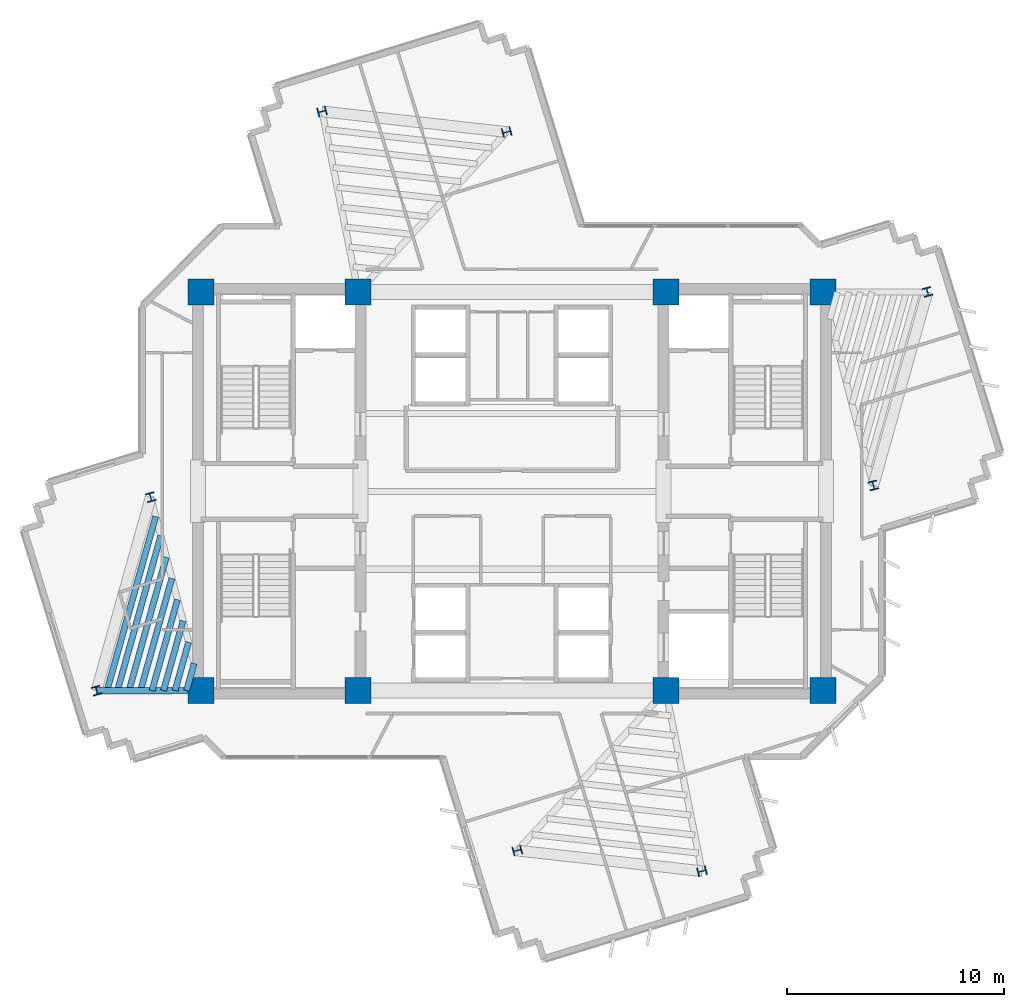
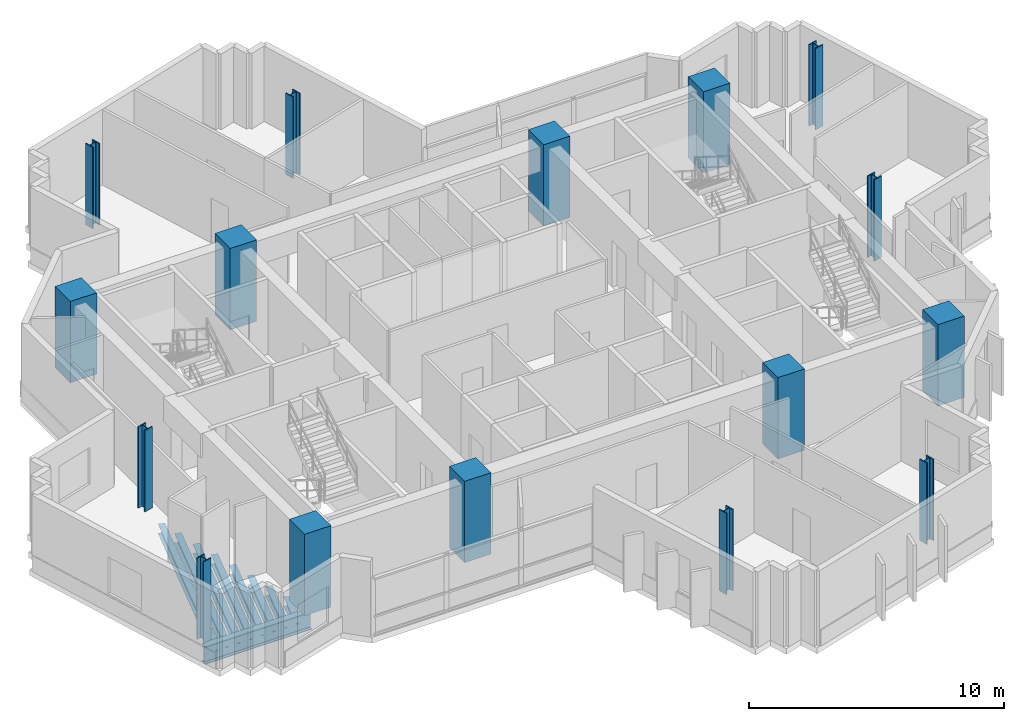
# One storey, part 1 of 13: 16 columns, 9 beams.
"""IFC4 building model written with IfcOpenShell, lengths in metres."""

import ifcopenshell
import ifcopenshell.guid

model = None  # the IFC model being written
_history = None  # IfcOwnerHistory: only IFC2X3 demands one
_inside = {}  # id of a spatial element -> (the spatial element, [elements in it])
_under = {}  # id of a project, library or spatial element -> (it, [spatial elements below it])
_declared = {}  # id of a project -> (the project, [libraries it declares])
_typed = {}  # id of a type object -> (the type object, [elements of that type])
_made_of = {}  # id of a material, layer set ... -> (it, [elements and type objects made of it])


def new_model(schema):
    """Start an empty IFC model of exactly this schema.

    Asked for "IFC4X3", IfcOpenShell would pick the latest addendum, in which some entities
    have other attributes; the version numbers below select the first issue.
    IFC2X3 requires an IfcOwnerHistory on every rooted entity: one is made here for all.
    """
    global model, _history
    if schema == "IFC4X3":
        model = ifcopenshell.file(schema_version=(4, 3, 0, 0))
    else:
        model = ifcopenshell.file(schema=schema)
    _inside.clear()
    _under.clear()
    _declared.clear()
    _typed.clear()
    _made_of.clear()
    _history = None
    if model.schema == "IFC2X3":
        org = make("IfcOrganization", Name="unknown")
        user = make(
            "IfcPersonAndOrganization",
            ThePerson=make("IfcPerson", FamilyName="unknown"),
            TheOrganization=org,
        )
        app = make(
            "IfcApplication",
            ApplicationDeveloper=org,
            Version="unknown",
            ApplicationFullName="unknown",
            ApplicationIdentifier="unknown",
        )
        _history = make(
            "IfcOwnerHistory",
            OwningUser=user,
            OwningApplication=app,
            ChangeAction="ADDED",
            CreationDate=0,
        )
    return model


def make(cls, **values):
    """One entity of the class cls with the attributes given. An attribute that is None is left unset."""
    return model.create_entity(
        cls, **{name: value for name, value in values.items() if value is not None}
    )


def rooted(cls, **values):
    """An entity with a GlobalId (a new one), such as an element, a storey or a relation."""
    return make(cls, GlobalId=ifcopenshell.guid.new(), OwnerHistory=_history, **values)


def si_unit(unit_type, name, prefix=None):
    """IfcSIUnit, for example si_unit("LENGTHUNIT", "METRE", prefix="MILLI")."""
    return make("IfcSIUnit", UnitType=unit_type, Prefix=prefix, Name=name)


def assignment(units):
    """IfcUnitAssignment: the units of a project."""
    return None if units is None else make("IfcUnitAssignment", Units=units)


def point(xyz):
    """IfcCartesianPoint."""
    return None if xyz is None else make("IfcCartesianPoint", Coordinates=xyz)


def direction(xyz):
    """IfcDirection."""
    return None if xyz is None else make("IfcDirection", DirectionRatios=xyz)


def frame(location, z_axis=None, x_axis=None):
    """IfcAxis2Placement3D, a coordinate frame: its origin and axes. An axis left out is left unset."""
    return make(
        "IfcAxis2Placement3D",
        Location=point(location),
        Axis=direction(z_axis),
        RefDirection=direction(x_axis),
    )


def frame_2d(location, x_axis=None):
    """IfcAxis2Placement2D, a coordinate frame in the plane: its origin and x axis."""
    return make(
        "IfcAxis2Placement2D", Location=point(location), RefDirection=direction(x_axis)
    )


def origin():
    """The frame at (0, 0, 0) with its axes left unset."""
    return frame((0.0, 0.0, 0.0))


def origin_2d():
    """The frame at (0, 0) in the plane with its x axis left unset."""
    return frame_2d((0.0, 0.0))


def place(relative_to, where):
    """IfcLocalPlacement: puts the frame where relative to a parent placement (None: the world)."""
    return make(
        "IfcLocalPlacement", PlacementRelTo=relative_to, RelativePlacement=where
    )


def context(
    kind, dimensions, precision=None, world=None, true_north=None, identifier=None
):
    """IfcGeometricRepresentationContext, for example the 3D "Model" context."""
    return make(
        "IfcGeometricRepresentationContext",
        ContextIdentifier=identifier,
        ContextType=kind,
        CoordinateSpaceDimension=dimensions,
        Precision=precision,
        WorldCoordinateSystem=world,
        TrueNorth=true_north,
    )


def subcontext(parent, identifier, kind, view, scale=None):
    """IfcGeometricRepresentationSubContext, for example "Body" below "Model"."""
    return make(
        "IfcGeometricRepresentationSubContext",
        ContextIdentifier=identifier,
        ContextType=kind,
        ParentContext=parent,
        TargetScale=scale,
        TargetView=view,
    )


def project(units=None, contexts=None):
    """IfcProject with its units and contexts."""
    return rooted(
        "IfcProject",
        Name="project",
        RepresentationContexts=contexts,
        UnitsInContext=assignment(units),
    )


def spatial(cls, under=None, at=None, **own):
    """A site, building, storey or space (cls), placed at a placement, below another one or the project."""
    s = rooted(cls, ObjectPlacement=at, **own)
    if under is not None:
        _under.setdefault(under.id(), (under, []))[1].append(s)
    return s


def profile(cls, at=None, kind="AREA", **sizes):
    """A parametric profile (cls). Its sizes go by their IFC names, for example OverallWidth=200.0."""
    return make(cls, ProfileType=kind, Position=at, **sizes)


def rectangle(**sizes):
    """IfcRectangleProfileDef."""
    return profile("IfcRectangleProfileDef", **sizes)


def i_section(**sizes):
    """IfcIShapeProfileDef."""
    return profile("IfcIShapeProfileDef", **sizes)


def extrude(swept, where, along, depth):
    """IfcExtrudedAreaSolid: the profile swept, set in the frame where, extruded along a direction by depth."""
    return make(
        "IfcExtrudedAreaSolid",
        SweptArea=swept,
        Position=where,
        ExtrudedDirection=direction(along),
        Depth=depth,
    )


def shape(context_of_items, identifier, shape_type, items):
    """IfcShapeRepresentation: the items that make up one representation, for example the "Body"."""
    return make(
        "IfcShapeRepresentation",
        ContextOfItems=context_of_items,
        RepresentationIdentifier=identifier,
        RepresentationType=shape_type,
        Items=items,
    )


def source(mapping_origin, context_of_items, identifier, shape_type, items):
    """IfcRepresentationMap: a shape defined once, which mapped items show again and again."""
    return make(
        "IfcRepresentationMap",
        MappingOrigin=mapping_origin,
        MappedRepresentation=shape(context_of_items, identifier, shape_type, items),
    )


def transform(
    local_origin,
    x_axis=None,
    y_axis=None,
    z_axis=None,
    scale=None,
    scale2=None,
    scale3=None,
    uniform=True,
):
    """IfcCartesianTransformationOperator3D, or its non-uniform kind. x_axis, y_axis, z_axis: its Axis1, 2, 3."""
    if uniform:
        return make(
            "IfcCartesianTransformationOperator3D",
            Axis1=direction(x_axis),
            Axis2=direction(y_axis),
            LocalOrigin=point(local_origin),
            Scale=scale,
            Axis3=direction(z_axis),
        )
    return make(
        "IfcCartesianTransformationOperator3DnonUniform",
        Axis1=direction(x_axis),
        Axis2=direction(y_axis),
        LocalOrigin=point(local_origin),
        Scale=scale,
        Axis3=direction(z_axis),
        Scale2=scale2,
        Scale3=scale3,
    )


def mapped(mapping_source, mapping_target):
    """IfcMappedItem: shows the shape of a source again, moved by a transform."""
    return make(
        "IfcMappedItem", MappingSource=mapping_source, MappingTarget=mapping_target
    )


def material(Name=None, Category=None):
    """IfcMaterial."""
    return make("IfcMaterial", Name=Name, Category=Category)


def material_profile(
    of_material, cross_section, Name=None, Category=None, Priority=None
):
    """IfcMaterialProfile: a cross section and its material."""
    return make(
        "IfcMaterialProfile",
        Name=Name,
        Material=of_material,
        Profile=cross_section,
        Priority=Priority,
        Category=Category,
    )


def profile_set(profiles, Name=None, composite=None):
    """IfcMaterialProfileSet."""
    return make(
        "IfcMaterialProfileSet",
        Name=Name,
        MaterialProfiles=profiles,
        CompositeProfile=composite,
    )


def made_of(thing, what):
    """Note that an element or type object is made of a material, layer set ...; save() writes the relation."""
    if what is not None:
        _made_of.setdefault(what.id(), (what, []))[1].append(thing)
    return thing


def type_object(cls, material=None, **own):
    """A type object (cls), such as IfcWallType, which elements share."""
    return made_of(rooted(cls, **own), material)


def element(
    cls,
    number,
    at=None,
    inside=None,
    cuts=None,
    type_object=None,
    material=None,
    context=None,
    identifier="Body",
    shape_type=None,
    held_by="IfcProductDefinitionShape",
    body=None,
    shapes=None,
    **own,
):
    """One element of the class cls, such as IfcWall. Its Tag is "e" and its number.

    at: its placement. inside: the storey or other place that contains it. cuts: it is an
    opening in that element (IfcRelVoidsElement). A single representation is given by context,
    identifier, shape_type and body (its items); several are given by shapes. held_by: the class
    of the entity that holds the representations. save() writes the other relations.
    """
    e = rooted(cls, Tag="e%d" % number, ObjectPlacement=at, **own)
    if body is not None:
        shapes = [shape(context, identifier, shape_type, body)]
    if shapes is not None:
        e.Representation = make(held_by, Representations=shapes)
    if inside is not None:
        _inside.setdefault(inside.id(), (inside, []))[1].append(e)
    if cuts is not None:
        rooted(
            "IfcRelVoidsElement", RelatingBuildingElement=cuts, RelatedOpeningElement=e
        )
    if type_object is not None:
        _typed.setdefault(type_object.id(), (type_object, []))[1].append(e)
    return made_of(e, material)


def aggregate(whole, parts):
    """IfcRelAggregates: a whole, such as a stair, and the parts it consists of."""
    return rooted("IfcRelAggregates", RelatingObject=whole, RelatedObjects=parts)


def save(model, path):
    """Write the relations noted so far, then the file.

    IfcRelAggregates (storeys below a building ...), IfcRelContainedInSpatialStructure (elements
    in a storey), IfcRelDefinesByType, IfcRelAssociatesMaterial and IfcRelDeclares: one each for
    every whole, place, type object, material and project.
    """
    for whole, parts in _under.values():
        aggregate(whole, parts)
    for where, things in _inside.values():
        rooted(
            "IfcRelContainedInSpatialStructure",
            RelatedElements=things,
            RelatingStructure=where,
        )
    for kind, things in _typed.values():
        rooted("IfcRelDefinesByType", RelatedObjects=things, RelatingType=kind)
    for what, things in _made_of.values():
        rooted("IfcRelAssociatesMaterial", RelatedObjects=things, RelatingMaterial=what)
    for by, libraries in _declared.values():
        rooted("IfcRelDeclares", RelatingContext=by, RelatedDefinitions=libraries)
    model.write(path)


model = new_model("IFC4")

# Units and contexts
model_context = context("Model", 3, precision=1e-05, world=origin(), true_north=direction((0.0, 1.0)))
body_context = subcontext(model_context, "Body", "Model", "MODEL_VIEW")
ifc_project = project(units=[si_unit("LENGTHUNIT", "METRE"), si_unit("AREAUNIT", "SQUARE_METRE"), si_unit("VOLUMEUNIT", "CUBIC_METRE"), si_unit("PLANEANGLEUNIT", "RADIAN"), si_unit("MASSUNIT", "GRAM", prefix="KILO")], contexts=[model_context])

# Site, building, storey
site_placement = place(None, origin())
site = spatial("IfcSite", under=ifc_project, at=site_placement, CompositionType="ELEMENT")
building_placement = place(site_placement, origin())
building = spatial("IfcBuilding", under=site, at=building_placement, Name="Zahravan Cultural Tower", CompositionType="ELEMENT")
storey_placement = place(building_placement, frame((0.0, 0.0, 213.60009765625)))
storey = spatial("IfcBuildingStorey", under=building, at=storey_placement, Name="L50", CompositionType="ELEMENT", Elevation=213.60009765625)

# Columns
ifc_material_1 = material(Name="Concrete C50/60", Category="concrete")
ifc_material_profile_1 = material_profile(ifc_material_1, rectangle(XDim=1.199951171875, YDim=1.199951171875, at=origin_2d()), Name="RC1200X1200")
ifc_profile_set_1 = profile_set([ifc_material_profile_1], Name="Concrete C50/60")
column_type_1 = type_object("IfcColumnType", Name="COL-RC1200", PredefinedType="COLUMN", material=ifc_profile_set_1)
shared_shape_1 = source(origin(), body_context, "Body", "SweptSolid", [
    extrude(rectangle(XDim=1.199951171875, YDim=1.199951171875, at=origin_2d()), origin(), (0.0, 0.0, 1.0), 3.89990234375),
])
for number, where, z_axis, x_axis, name in (
    (1, (21.64990234375, 17.800048828125, 0.0), (0.0, 0.0, 1.0), (1.0, 0.0, 0.0), "L50 Column CC-W1"),
    (2, (28.89990234375, 17.800048828125, 0.0), (0.0, 0.0, 1.0), (1.0, 0.0, 0.0), "L50 Column CC-W2"),
    (3, (21.64990234375, 36.199951171875, 0.0), (0.0, 0.0, 1.0), (1.0, 0.0, 0.0), "L50 Column CC-W3"),
    (4, (28.89990234375, 36.199951171875, 0.0), (0.0, 0.0, 1.0), (1.0, 0.0, 0.0), "L50 Column CC-W4"),
    (5, (43.10009765625, 17.800048828125, 0.0), (0.0, 0.0, 1.0), (1.0, 0.0, 0.0), "L50 Column CC-E1"),
    (6, (50.35009765625, 17.800048828125, 0.0), (0.0, 0.0, 1.0), (1.0, 0.0, 0.0), "L50 Column CC-E2"),
    (7, (43.10009765625, 36.199951171875, 0.0), (0.0, 0.0, 1.0), (1.0, 0.0, 0.0), "L50 Column CC-E3"),
    (8, (50.35009765625, 36.199951171875, 0.0), (0.0, 0.0, 1.0), (1.0, 0.0, 0.0), "L50 Column CC-E4"),
):
    element("IfcColumn", number, at=place(storey_placement, frame(where, z_axis=z_axis, x_axis=x_axis)), inside=storey, type_object=column_type_1, Name=name, PredefinedType="COLUMN", context=body_context, shape_type="MappedRepresentation", body=[
        mapped(shared_shape_1, transform((0.0, 0.0, 0.0), x_axis=(1.0, 0.0, 0.0), y_axis=(0.0, 1.0, 0.0), z_axis=(0.0, 0.0, 1.0), scale=1.0)),
    ])
ifc_material_2 = material(Name="Steel ASTM A992 Grade 50", Category="steel")
ifc_material_profile_2 = material_profile(ifc_material_2, i_section(OverallWidth=0.404052734375, OverallDepth=0.406982421875, WebThickness=0.027099609375, FlangeThickness=0.043701171875, FilletRadius=0.01806640625, at=origin_2d()), Name="W14X233")
ifc_profile_set_2 = profile_set([ifc_material_profile_2], Name="Steel ASTM A992 Grade 50")
column_type_2 = type_object("IfcColumnType", Name="COL-W14X233", PredefinedType="COLUMN", material=ifc_profile_set_2)
shared_shape_2 = source(origin(), body_context, "Body", "SweptSolid", [
    extrude(i_section(OverallWidth=0.404052734375, OverallDepth=0.406982421875, WebThickness=0.027099609375, FlangeThickness=0.043701171875, FilletRadius=0.01806640625, at=origin_2d()), origin(), (0.0, 0.0, 1.0), 3.89990234375),
])
for number, where, z_axis, x_axis, name in (
    (9, (52.684326171875, 27.27099609375, 0.0), (0.0, 0.0, 1.0), (0.966823388604, 0.255445757936, 0.0), "L50 Column Z2C-E1"),
    (10, (55.184814453125, 36.2060546875, 0.0), (0.0, 0.0, 1.0), (0.966823388604, 0.255445757936, 0.0), "L50 Column Z2C-E2"),
    (11, (35.754638671875, 43.587646484375, 0.0), (0.0, 0.0, 1.0), (-0.255445757936, 0.966823388604, 0.0), "L50 Column Z2C-N1"),
    (12, (27.22802734375, 44.541259765625, 0.0), (0.0, 0.0, 1.0), (-0.255445757936, 0.966823388604, 0.0), "L50 Column Z2C-N2"),
    (13, (19.315673828125, 26.72900390625, 0.0), (0.0, 0.0, 1.0), (0.966823388604, 0.255445757936, 0.0), "L50 Column Z2C-W1"),
    (14, (16.815185546875, 17.7939453125, 0.0), (0.0, 0.0, 1.0), (0.966823388604, 0.255445757936, 0.0), "L50 Column Z2C-W2"),
    (15, (36.245361328125, 10.412353515625, 0.0), (0.0, 0.0, 1.0), (-0.255445757936, 0.966823388604, 0.0), "L50 Column Z2C-S1"),
    (16, (44.77197265625, 9.458740234375, 0.0), (0.0, 0.0, 1.0), (-0.255445757936, 0.966823388604, 0.0), "L50 Column Z2C-S2"),
):
    element("IfcColumn", number, at=place(storey_placement, frame(where, z_axis=z_axis, x_axis=x_axis)), inside=storey, type_object=column_type_2, Name=name, PredefinedType="COLUMN", context=body_context, shape_type="MappedRepresentation", body=[
        mapped(shared_shape_2, transform((0.0, 0.0, 0.0), x_axis=(1.0, 0.0, 0.0), y_axis=(0.0, 1.0, 0.0), z_axis=(0.0, 0.0, 1.0), scale=1.0)),
    ])

# Beams
ifc_material_profile_3 = material_profile(ifc_material_2, i_section(OverallWidth=0.29296875, OverallDepth=0.845947265625, WebThickness=0.015380859375, FlangeThickness=0.0244140625, FilletRadius=0.02001953125, at=origin_2d()), Name="W33X141")
ifc_profile_set_3 = profile_set([ifc_material_profile_3], Name="Steel ASTM A992 Grade 50")
beam_type_1 = type_object("IfcBeamType", Name="BM-G-W33X141", PredefinedType="BEAM", material=ifc_profile_set_3)
shared_shape_3 = source(origin(), body_context, "Body", "SweptSolid", [
    extrude(i_section(OverallWidth=0.29296875, OverallDepth=0.845947265625, WebThickness=0.015380859375, FlangeThickness=0.0244140625, FilletRadius=0.02001953125, at=origin_2d()), origin(), (0.0, 0.0, 1.0), 4.834716796875),
])
beam_1_placement = place(storey_placement, frame((21.64990234375, 17.800048828125, -0.703125), z_axis=(-0.99999920313, -0.001262433979, 0.0), x_axis=(0.001262433979, -0.99999920313, 0.0)))
element("IfcBeam", 17, at=beam_1_placement, inside=storey, type_object=beam_type_1, Name="L50 Beam BG-L50-08", PredefinedType="BEAM", context=body_context, shape_type="MappedRepresentation", body=[
    mapped(shared_shape_3, transform((0.0, 0.0, 0.0), x_axis=(1.0, 0.0, 0.0), y_axis=(0.0, 1.0, 0.0), z_axis=(0.0, 0.0, 1.0), scale=1.0)),
])
ifc_material_profile_4 = material_profile(ifc_material_2, i_section(OverallWidth=0.280029296875, OverallDepth=0.462890625, WebThickness=0.0107421875, FlangeThickness=0.017333984375, FilletRadius=0.012939453125, at=origin_2d()), Name="W18X76")
ifc_profile_set_4 = profile_set([ifc_material_profile_4], Name="Steel ASTM A992 Grade 50")
beam_type_2 = type_object("IfcBeamType", Name="BM-J-W18X76", PredefinedType="JOIST", material=ifc_profile_set_4)
shared_shape_4 = source(origin(), body_context, "Body", "SweptSolid", [
    extrude(i_section(OverallWidth=0.280029296875, OverallDepth=0.462890625, WebThickness=0.0107421875, FlangeThickness=0.017333984375, FilletRadius=0.012939453125, at=origin_2d()), origin(), (0.0, 0.0, 1.0), 1.299072265625),
])
beam_2_placement = place(storey_placement, frame((21.3232421875, 19.050048828125, -0.51171875), z_axis=(-0.269504444708, -0.962999145525, 0.0), x_axis=(0.962999145525, -0.269504444708, 0.0)))
element("IfcBeam", 18, at=beam_2_placement, inside=storey, type_object=beam_type_2, Name="L50 Beam BJ-L50-22", PredefinedType="JOIST", context=body_context, shape_type="MappedRepresentation", body=[
    mapped(shared_shape_4, transform((0.0, 0.0, 0.0), x_axis=(1.0, 0.0, 0.0), y_axis=(0.0, 1.0, 0.0), z_axis=(0.0, 0.0, 1.0), scale=1.0)),
])
shared_shape_5 = source(origin(), body_context, "Body", "SweptSolid", [
    extrude(i_section(OverallWidth=0.280029296875, OverallDepth=0.462890625, WebThickness=0.0107421875, FlangeThickness=0.017333984375, FilletRadius=0.012939453125, at=origin_2d()), origin(), (0.0, 0.0, 1.0), 2.3193359375),
])
beam_3_placement = place(storey_placement, frame((21.06640625, 20.0322265625, -0.51171875), z_axis=(-0.269462038626, -0.963011012263, 0.0), x_axis=(0.963011012263, -0.269462038626, 0.0)))
element("IfcBeam", 19, at=beam_3_placement, inside=storey, type_object=beam_type_2, Name="L50 Beam BJ-L50-23", PredefinedType="JOIST", context=body_context, shape_type="MappedRepresentation", body=[
    mapped(shared_shape_5, transform((0.0, 0.0, 0.0), x_axis=(1.0, 0.0, 0.0), y_axis=(0.0, 1.0, 0.0), z_axis=(0.0, 0.0, 1.0), scale=1.0)),
])
shared_shape_6 = source(origin(), body_context, "Body", "SweptSolid", [
    extrude(i_section(OverallWidth=0.280029296875, OverallDepth=0.462890625, WebThickness=0.0107421875, FlangeThickness=0.017333984375, FilletRadius=0.012939453125, at=origin_2d()), origin(), (0.0, 0.0, 1.0), 3.340087890625),
])
beam_4_placement = place(storey_placement, frame((20.809814453125, 21.014404296875, -0.51171875), z_axis=(-0.269562146951, -0.962982995141, 0.0), x_axis=(0.962982995141, -0.269562146951, 0.0)))
element("IfcBeam", 20, at=beam_4_placement, inside=storey, type_object=beam_type_2, Name="L50 Beam BJ-L50-24", PredefinedType="JOIST", context=body_context, shape_type="MappedRepresentation", body=[
    mapped(shared_shape_6, transform((0.0, 0.0, 0.0), x_axis=(1.0, 0.0, 0.0), y_axis=(0.0, 1.0, 0.0), z_axis=(0.0, 0.0, 1.0), scale=1.0)),
])
shared_shape_7 = source(origin(), body_context, "Body", "SweptSolid", [
    extrude(i_section(OverallWidth=0.280029296875, OverallDepth=0.462890625, WebThickness=0.0107421875, FlangeThickness=0.017333984375, FilletRadius=0.012939453125, at=origin_2d()), origin(), (0.0, 0.0, 1.0), 4.36083984375),
])
beam_5_placement = place(storey_placement, frame((20.552978515625, 21.99658203125, -0.51171875), z_axis=(-0.269511557673, -0.962997154866, 0.0), x_axis=(0.962997154866, -0.269511557673, 0.0)))
element("IfcBeam", 21, at=beam_5_placement, inside=storey, type_object=beam_type_2, Name="L50 Beam BJ-L50-25", PredefinedType="JOIST", context=body_context, shape_type="MappedRepresentation", body=[
    mapped(shared_shape_7, transform((0.0, 0.0, 0.0), x_axis=(1.0, 0.0, 0.0), y_axis=(0.0, 1.0, 0.0), z_axis=(0.0, 0.0, 1.0), scale=1.0)),
])
shared_shape_8 = source(origin(), body_context, "Body", "SweptSolid", [
    extrude(i_section(OverallWidth=0.280029296875, OverallDepth=0.462890625, WebThickness=0.0107421875, FlangeThickness=0.017333984375, FilletRadius=0.012939453125, at=origin_2d()), origin(), (0.0, 0.0, 1.0), 5.3818359375),
])
beam_6_placement = place(storey_placement, frame((20.296142578125, 22.97900390625, -0.51171875), z_axis=(-0.269510454638, -0.962997463569, 0.0), x_axis=(0.962997463569, -0.269510454638, 0.0)))
element("IfcBeam", 22, at=beam_6_placement, inside=storey, type_object=beam_type_2, Name="L50 Beam BJ-L50-26", PredefinedType="JOIST", context=body_context, shape_type="MappedRepresentation", body=[
    mapped(shared_shape_8, transform((0.0, 0.0, 0.0), x_axis=(1.0, 0.0, 0.0), y_axis=(0.0, 1.0, 0.0), z_axis=(0.0, 0.0, 1.0), scale=1.0)),
])
shared_shape_9 = source(origin(), body_context, "Body", "SweptSolid", [
    extrude(i_section(OverallWidth=0.280029296875, OverallDepth=0.462890625, WebThickness=0.0107421875, FlangeThickness=0.017333984375, FilletRadius=0.012939453125, at=origin_2d()), origin(), (0.0, 0.0, 1.0), 6.402099609375),
])
beam_7_placement = place(storey_placement, frame((20.039306640625, 23.961181640625, -0.51171875), z_axis=(-0.269494133533, -0.963002031146, 0.0), x_axis=(0.963002031146, -0.269494133533, 0.0)))
element("IfcBeam", 23, at=beam_7_placement, inside=storey, type_object=beam_type_2, Name="L50 Beam BJ-L50-27", PredefinedType="JOIST", context=body_context, shape_type="MappedRepresentation", body=[
    mapped(shared_shape_9, transform((0.0, 0.0, 0.0), x_axis=(1.0, 0.0, 0.0), y_axis=(0.0, 1.0, 0.0), z_axis=(0.0, 0.0, 1.0), scale=1.0)),
])
shared_shape_10 = source(origin(), body_context, "Body", "SweptSolid", [
    extrude(i_section(OverallWidth=0.280029296875, OverallDepth=0.462890625, WebThickness=0.0107421875, FlangeThickness=0.017333984375, FilletRadius=0.012939453125, at=origin_2d()), origin(), (0.0, 0.0, 1.0), 7.4228515625),
])
beam_8_placement = place(storey_placement, frame((19.78271484375, 24.943359375, -0.51171875), z_axis=(-0.269504266128, -0.962999195503, 0.0), x_axis=(0.962999195503, -0.269504266128, 0.0)))
element("IfcBeam", 24, at=beam_8_placement, inside=storey, type_object=beam_type_2, Name="L50 Beam BJ-L50-28", PredefinedType="JOIST", context=body_context, shape_type="MappedRepresentation", body=[
    mapped(shared_shape_10, transform((0.0, 0.0, 0.0), x_axis=(1.0, 0.0, 0.0), y_axis=(0.0, 1.0, 0.0), z_axis=(0.0, 0.0, 1.0), scale=1.0)),
])
shared_shape_11 = source(origin(), body_context, "Body", "SweptSolid", [
    extrude(i_section(OverallWidth=0.280029296875, OverallDepth=0.462890625, WebThickness=0.0107421875, FlangeThickness=0.017333984375, FilletRadius=0.012939453125, at=origin_2d()), origin(), (0.0, 0.0, 1.0), 8.350830078125),
])
beam_9_placement = place(storey_placement, frame((19.549072265625, 25.836181640625, -0.51171875), z_axis=(-0.269496539555, -0.963001357822, 0.0), x_axis=(0.963001357822, -0.269496539555, 0.0)))
element("IfcBeam", 25, at=beam_9_placement, inside=storey, type_object=beam_type_2, Name="L50 Beam BJ-L50-29", PredefinedType="JOIST", context=body_context, shape_type="MappedRepresentation", body=[
    mapped(shared_shape_11, transform((0.0, 0.0, 0.0), x_axis=(1.0, 0.0, 0.0), y_axis=(0.0, 1.0, 0.0), z_axis=(0.0, 0.0, 1.0), scale=1.0)),
])

save(model, "model.ifc")
